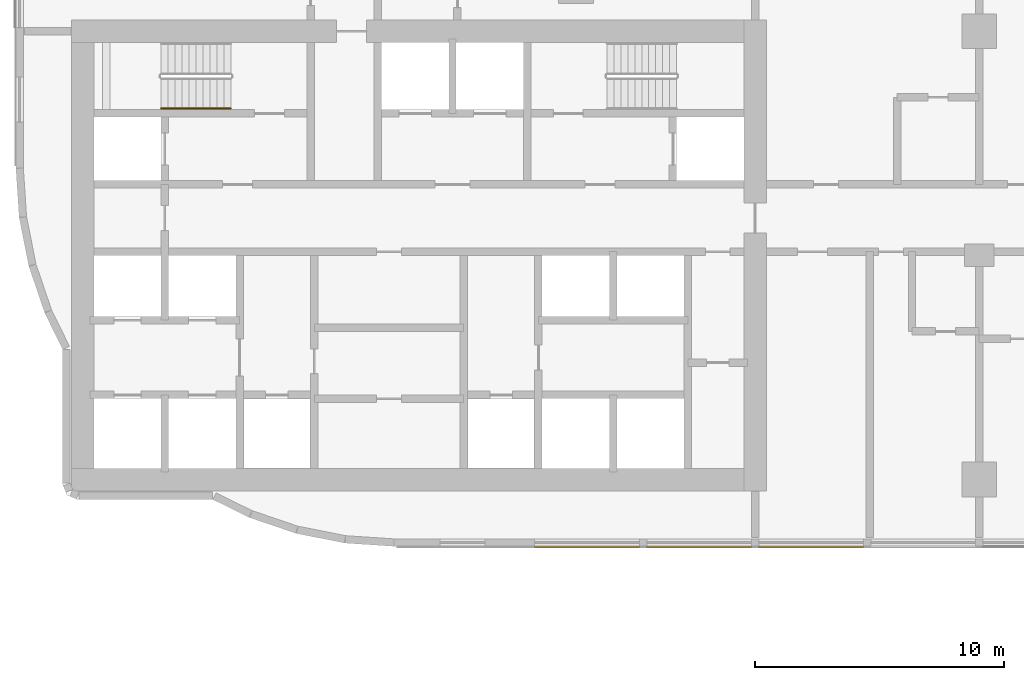
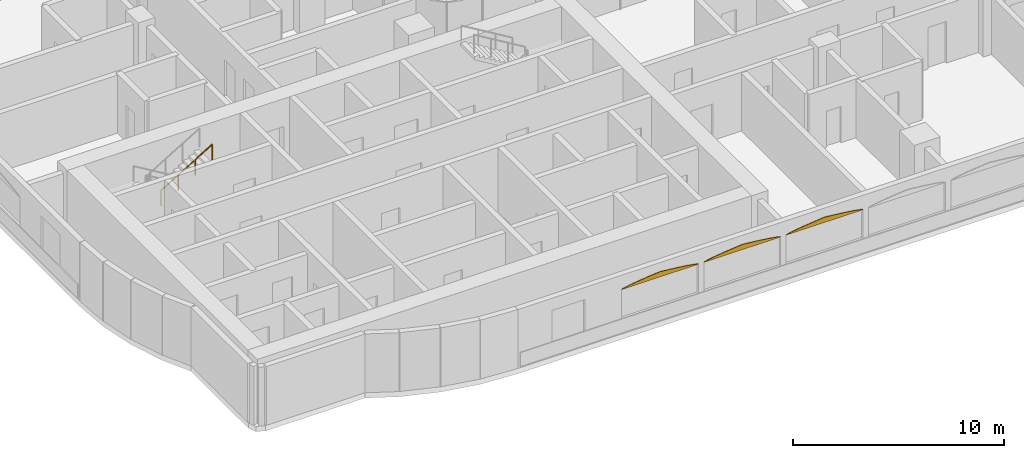
# One storey, part 28 of 34: 3 coverings, 1 railing.
"""IFC4 building model written with IfcOpenShell, lengths in metres."""

from ifc_helpers import new_model, si_unit, direction, frame, origin, origin_2d, place, context, subcontext, project, spatial, polyline, circle, outline, extrude, material, layer, layer_set, type_object, element, save


model = new_model("IFC4")

# Units and contexts
model_context = context("Model", 3, precision=1e-05, world=origin(), true_north=direction((0.0, 1.0)))
body_context = subcontext(model_context, "Body", "Model", "MODEL_VIEW")
ifc_project = project(units=[si_unit("LENGTHUNIT", "METRE"), si_unit("AREAUNIT", "SQUARE_METRE"), si_unit("VOLUMEUNIT", "CUBIC_METRE"), si_unit("PLANEANGLEUNIT", "RADIAN"), si_unit("MASSUNIT", "GRAM", prefix="KILO")], contexts=[model_context])

# Site, building, storey
site_placement = place(None, origin())
site = spatial("IfcSite", under=ifc_project, at=site_placement, CompositionType="ELEMENT")
building_placement = place(site_placement, origin())
building = spatial("IfcBuilding", under=site, at=building_placement, Name="Ogive Portal Towers", CompositionType="ELEMENT")
storey_placement = place(building_placement, frame((0.0, 0.0, 66.800048828125)))
storey = spatial("IfcBuildingStorey", under=building, at=storey_placement, Name="L15", CompositionType="ELEMENT", Elevation=66.800048828125)

# Railing
ifc_material_1 = material(Name="Stainless steel handrail", Category="steel")
railing_type = type_object("IfcRailingType", Name="INT-HANDRAIL", PredefinedType="HANDRAIL", material=ifc_material_1)
railing_placement = place(storey_placement, frame((34.64990234375, 36.39990234375, 2.01806640625)))
element("IfcRailing", 1, at=railing_placement, inside=storey, type_object=railing_type, Name="L15 ST-A1 stair handrail 2", PredefinedType="HANDRAIL", context=body_context, shape_type="SweptSolid", body=[
    extrude(circle(Radius=0.02392578125, at=origin_2d()), frame((0.0, 0.0, 0.8759765625), z_axis=(0.857242210791, 0.0, 0.514913383045), x_axis=(0.0, 1.0, 0.0)), (0.0, 0.0, 1.0), 3.266357421875),
    extrude(circle(Radius=0.02099609375, at=origin_2d()), origin(), (0.0, 0.0, 1.0), 0.851806640625),
    extrude(circle(Radius=0.02099609375, at=origin_2d()), frame((0.933349609375, 0.0, 0.560546875)), (0.0, 0.0, 1.0), 0.851806640625),
    extrude(circle(Radius=0.02099609375, at=origin_2d()), frame((1.86669921875, 0.0, 1.121337890625)), (0.0, 0.0, 1.0), 0.851806640625),
    extrude(circle(Radius=0.02099609375, at=origin_2d()), frame((2.800048828125, 0.0, 1.681884765625)), (0.0, 0.0, 1.0), 0.851806640625),
])

# Coverings
ifc_material_2 = material(Name="Limestone cladding on lightweight block wall", Category="masonry")
ifc_layer = layer(ifc_material_2, 0.0400390625)
ifc_layer_set = layer_set([ifc_layer], Name="LANCET HEAD STONE")
covering_type = type_object("IfcCoveringType", Name="LANCET HEAD STONE", PredefinedType="CLADDING", material=ifc_layer_set)
for number, where, z_axis, x_axis, name in (
    (2, (49.64990234375, 18.820068359375, 2.599853515625), (0.0, 0.999947746022, 0.010222779737), (1.0, 0.0, 0.0), "Lancet head"),
    (3, (54.14990234375, 18.820068359375, 2.599853515625), (0.0, 0.999947746022, 0.010222779737), (1.0, 0.0, 0.0), "Lancet head"),
    (4, (58.64990234375, 18.820068359375, 2.599853515625), (0.0, 0.999947746022, 0.010222779737), (1.0, 0.0, 0.0), "Lancet head"),
):
    element("IfcCovering", number, at=place(storey_placement, frame(where, z_axis=z_axis, x_axis=x_axis)), inside=storey, type_object=covering_type, Name=name, PredefinedType="CLADDING", context=body_context, shape_type="SweptSolid", body=[
        extrude(outline(polyline([(0.0, 0.0), (4.2001953125, 0.0), (4.107177734375, -0.03760068321456534), (3.9375, -0.07519887063329651), (3.7177734375, -0.11255542598018069), (3.45751953125, -0.15015361339891187), (3.162353515625, -0.18751016874579607), (2.836181640625, -0.2251083561645272), (2.481201171875, -0.26270903937909257), (2.10009765625, -0.30006559472597677), (1.718994140625, -0.26270903937909257), (1.364013671875, -0.2251083561645272), (1.037841796875, -0.18751016874579607), (0.74267578125, -0.15015361339891187), (0.482421875, -0.11255542598018069), (0.2626953125, -0.07519887063329651), (0.093017578125, -0.03760068321456534), (0.0, 0.0)])), origin(), (0.0, 0.0, -1.0), 0.0400390625),
    ])

save(model, "model.ifc")
